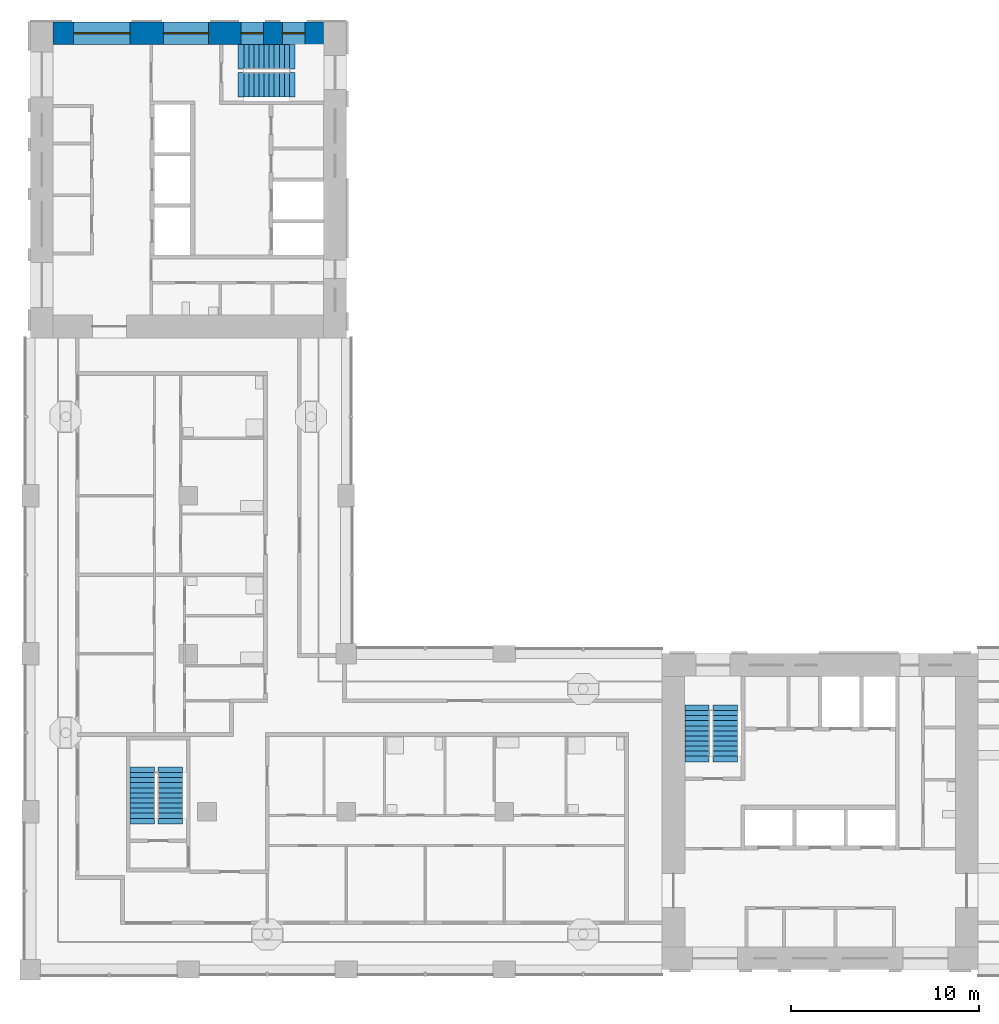
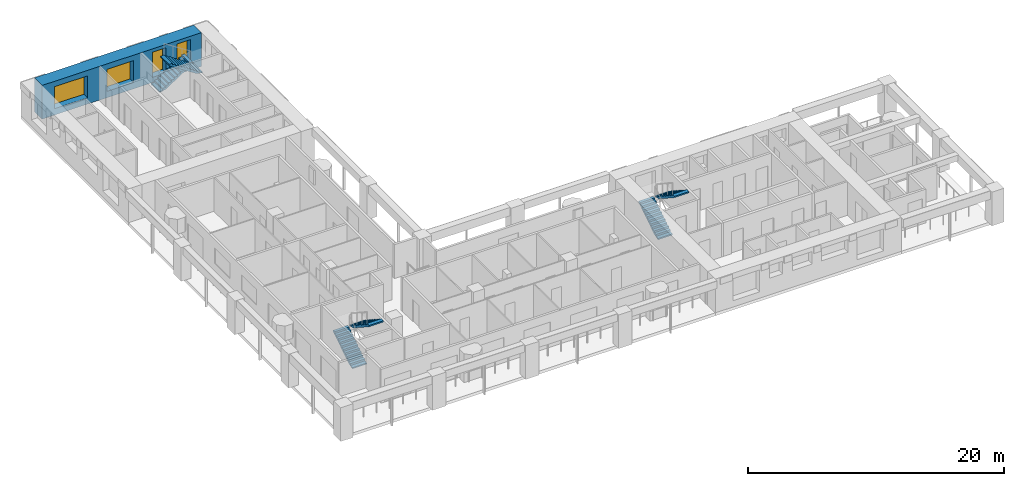
# One storey, part 7 of 13: 6 stair flights, 4 windows, 1 wall, 4 openings, 3 elements without a shape of their own.
"""IFC4 building model written with IfcOpenShell, lengths in metres."""

import ifcopenshell
import ifcopenshell.guid

model = None  # the IFC model being written
_history = None  # IfcOwnerHistory: only IFC2X3 demands one
_inside = {}  # id of a spatial element -> (the spatial element, [elements in it])
_under = {}  # id of a project, library or spatial element -> (it, [spatial elements below it])
_declared = {}  # id of a project -> (the project, [libraries it declares])
_typed = {}  # id of a type object -> (the type object, [elements of that type])
_made_of = {}  # id of a material, layer set ... -> (it, [elements and type objects made of it])


def new_model(schema):
    """Start an empty IFC model of exactly this schema.

    Asked for "IFC4X3", IfcOpenShell would pick the latest addendum, in which some entities
    have other attributes; the version numbers below select the first issue.
    IFC2X3 requires an IfcOwnerHistory on every rooted entity: one is made here for all.
    """
    global model, _history
    if schema == "IFC4X3":
        model = ifcopenshell.file(schema_version=(4, 3, 0, 0))
    else:
        model = ifcopenshell.file(schema=schema)
    _inside.clear()
    _under.clear()
    _declared.clear()
    _typed.clear()
    _made_of.clear()
    _history = None
    if model.schema == "IFC2X3":
        org = make("IfcOrganization", Name="unknown")
        user = make(
            "IfcPersonAndOrganization",
            ThePerson=make("IfcPerson", FamilyName="unknown"),
            TheOrganization=org,
        )
        app = make(
            "IfcApplication",
            ApplicationDeveloper=org,
            Version="unknown",
            ApplicationFullName="unknown",
            ApplicationIdentifier="unknown",
        )
        _history = make(
            "IfcOwnerHistory",
            OwningUser=user,
            OwningApplication=app,
            ChangeAction="ADDED",
            CreationDate=0,
        )
    return model


def make(cls, **values):
    """One entity of the class cls with the attributes given. An attribute that is None is left unset."""
    return model.create_entity(
        cls, **{name: value for name, value in values.items() if value is not None}
    )


def rooted(cls, **values):
    """An entity with a GlobalId (a new one), such as an element, a storey or a relation."""
    return make(cls, GlobalId=ifcopenshell.guid.new(), OwnerHistory=_history, **values)


def si_unit(unit_type, name, prefix=None):
    """IfcSIUnit, for example si_unit("LENGTHUNIT", "METRE", prefix="MILLI")."""
    return make("IfcSIUnit", UnitType=unit_type, Prefix=prefix, Name=name)


def assignment(units):
    """IfcUnitAssignment: the units of a project."""
    return None if units is None else make("IfcUnitAssignment", Units=units)


def point(xyz):
    """IfcCartesianPoint."""
    return None if xyz is None else make("IfcCartesianPoint", Coordinates=xyz)


def direction(xyz):
    """IfcDirection."""
    return None if xyz is None else make("IfcDirection", DirectionRatios=xyz)


def frame(location, z_axis=None, x_axis=None):
    """IfcAxis2Placement3D, a coordinate frame: its origin and axes. An axis left out is left unset."""
    return make(
        "IfcAxis2Placement3D",
        Location=point(location),
        Axis=direction(z_axis),
        RefDirection=direction(x_axis),
    )


def frame_2d(location, x_axis=None):
    """IfcAxis2Placement2D, a coordinate frame in the plane: its origin and x axis."""
    return make(
        "IfcAxis2Placement2D", Location=point(location), RefDirection=direction(x_axis)
    )


def origin():
    """The frame at (0, 0, 0) with its axes left unset."""
    return frame((0.0, 0.0, 0.0))


def place(relative_to, where):
    """IfcLocalPlacement: puts the frame where relative to a parent placement (None: the world)."""
    return make(
        "IfcLocalPlacement", PlacementRelTo=relative_to, RelativePlacement=where
    )


def context(
    kind, dimensions, precision=None, world=None, true_north=None, identifier=None
):
    """IfcGeometricRepresentationContext, for example the 3D "Model" context."""
    return make(
        "IfcGeometricRepresentationContext",
        ContextIdentifier=identifier,
        ContextType=kind,
        CoordinateSpaceDimension=dimensions,
        Precision=precision,
        WorldCoordinateSystem=world,
        TrueNorth=true_north,
    )


def subcontext(parent, identifier, kind, view, scale=None):
    """IfcGeometricRepresentationSubContext, for example "Body" below "Model"."""
    return make(
        "IfcGeometricRepresentationSubContext",
        ContextIdentifier=identifier,
        ContextType=kind,
        ParentContext=parent,
        TargetScale=scale,
        TargetView=view,
    )


def project(units=None, contexts=None):
    """IfcProject with its units and contexts."""
    return rooted(
        "IfcProject",
        Name="project",
        RepresentationContexts=contexts,
        UnitsInContext=assignment(units),
    )


def spatial(cls, under=None, at=None, **own):
    """A site, building, storey or space (cls), placed at a placement, below another one or the project."""
    s = rooted(cls, ObjectPlacement=at, **own)
    if under is not None:
        _under.setdefault(under.id(), (under, []))[1].append(s)
    return s


def polyline(points):
    """IfcPolyline through the points."""
    return make("IfcPolyline", Points=[point(p) for p in points])


def profile(cls, at=None, kind="AREA", **sizes):
    """A parametric profile (cls). Its sizes go by their IFC names, for example OverallWidth=200.0."""
    return make(cls, ProfileType=kind, Position=at, **sizes)


def rectangle(**sizes):
    """IfcRectangleProfileDef."""
    return profile("IfcRectangleProfileDef", **sizes)


def outline(outer, holes=None, kind="AREA"):
    """IfcArbitraryClosedProfileDef: a profile drawn as a closed curve; with holes, ...WithVoids."""
    if holes is None:
        return make("IfcArbitraryClosedProfileDef", ProfileType=kind, OuterCurve=outer)
    return make(
        "IfcArbitraryProfileDefWithVoids",
        ProfileType=kind,
        OuterCurve=outer,
        InnerCurves=holes,
    )


def extrude(swept, where, along, depth):
    """IfcExtrudedAreaSolid: the profile swept, set in the frame where, extruded along a direction by depth."""
    return make(
        "IfcExtrudedAreaSolid",
        SweptArea=swept,
        Position=where,
        ExtrudedDirection=direction(along),
        Depth=depth,
    )


def shape(context_of_items, identifier, shape_type, items):
    """IfcShapeRepresentation: the items that make up one representation, for example the "Body"."""
    return make(
        "IfcShapeRepresentation",
        ContextOfItems=context_of_items,
        RepresentationIdentifier=identifier,
        RepresentationType=shape_type,
        Items=items,
    )


def material(Name=None, Category=None):
    """IfcMaterial."""
    return make("IfcMaterial", Name=Name, Category=Category)


def layer(
    of_material, thickness, ventilated=None, Name=None, Category=None, Priority=None
):
    """IfcMaterialLayer: one layer of a wall or slab, of a material (None: an air gap)."""
    return make(
        "IfcMaterialLayer",
        Material=of_material,
        LayerThickness=thickness,
        IsVentilated=ventilated,
        Name=Name,
        Category=Category,
        Priority=Priority,
    )


def layer_set(layers, Name=None):
    """IfcMaterialLayerSet."""
    return make("IfcMaterialLayerSet", MaterialLayers=layers, LayerSetName=Name)


def made_of(thing, what):
    """Note that an element or type object is made of a material, layer set ...; save() writes the relation."""
    if what is not None:
        _made_of.setdefault(what.id(), (what, []))[1].append(thing)
    return thing


def type_object(cls, material=None, **own):
    """A type object (cls), such as IfcWallType, which elements share."""
    return made_of(rooted(cls, **own), material)


def element(
    cls,
    number,
    at=None,
    inside=None,
    cuts=None,
    type_object=None,
    material=None,
    context=None,
    identifier="Body",
    shape_type=None,
    held_by="IfcProductDefinitionShape",
    body=None,
    shapes=None,
    **own,
):
    """One element of the class cls, such as IfcWall. Its Tag is "e" and its number.

    at: its placement. inside: the storey or other place that contains it. cuts: it is an
    opening in that element (IfcRelVoidsElement). A single representation is given by context,
    identifier, shape_type and body (its items); several are given by shapes. held_by: the class
    of the entity that holds the representations. save() writes the other relations.
    """
    e = rooted(cls, Tag="e%d" % number, ObjectPlacement=at, **own)
    if body is not None:
        shapes = [shape(context, identifier, shape_type, body)]
    if shapes is not None:
        e.Representation = make(held_by, Representations=shapes)
    if inside is not None:
        _inside.setdefault(inside.id(), (inside, []))[1].append(e)
    if cuts is not None:
        rooted(
            "IfcRelVoidsElement", RelatingBuildingElement=cuts, RelatedOpeningElement=e
        )
    if type_object is not None:
        _typed.setdefault(type_object.id(), (type_object, []))[1].append(e)
    return made_of(e, material)


def fill(opening, filler):
    """IfcRelFillsElement: the door or window that sits in an opening."""
    return rooted(
        "IfcRelFillsElement",
        RelatingOpeningElement=opening,
        RelatedBuildingElement=filler,
    )


def aggregate(whole, parts):
    """IfcRelAggregates: a whole, such as a stair, and the parts it consists of."""
    return rooted("IfcRelAggregates", RelatingObject=whole, RelatedObjects=parts)


def save(model, path):
    """Write the relations noted so far, then the file.

    IfcRelAggregates (storeys below a building ...), IfcRelContainedInSpatialStructure (elements
    in a storey), IfcRelDefinesByType, IfcRelAssociatesMaterial and IfcRelDeclares: one each for
    every whole, place, type object, material and project.
    """
    for whole, parts in _under.values():
        aggregate(whole, parts)
    for where, things in _inside.values():
        rooted(
            "IfcRelContainedInSpatialStructure",
            RelatedElements=things,
            RelatingStructure=where,
        )
    for kind, things in _typed.values():
        rooted("IfcRelDefinesByType", RelatedObjects=things, RelatingType=kind)
    for what, things in _made_of.values():
        rooted("IfcRelAssociatesMaterial", RelatedObjects=things, RelatingMaterial=what)
    for by, libraries in _declared.values():
        rooted("IfcRelDeclares", RelatingContext=by, RelatedDefinitions=libraries)
    model.write(path)


model = new_model("IFC4")

# Units and contexts
model_context = context("Model", 3, precision=1e-05, world=origin(), true_north=direction((0.0, 1.0)))
body_context = subcontext(model_context, "Body", "Model", "MODEL_VIEW")
ifc_project = project(units=[si_unit("LENGTHUNIT", "METRE"), si_unit("AREAUNIT", "SQUARE_METRE"), si_unit("VOLUMEUNIT", "CUBIC_METRE"), si_unit("PLANEANGLEUNIT", "RADIAN"), si_unit("MASSUNIT", "GRAM", prefix="KILO")], contexts=[model_context])

# Site, building, storey
site_placement = place(None, origin())
site = spatial("IfcSite", under=ifc_project, at=site_placement, CompositionType="ELEMENT")
building_placement = place(site_placement, origin())
building = spatial("IfcBuilding", under=site, at=building_placement, Name="Vermilion Gate Residences", CompositionType="ELEMENT")
storey_placement = place(building_placement, frame((0.0, 0.0, 151.199951171875)))
storey = spatial("IfcBuildingStorey", under=building, at=storey_placement, Name="L38", CompositionType="ELEMENT", Elevation=151.199951171875)

# Wall, openings, windows
ifc_material_1 = material(Name="Concrete C60 red-oxide pigmented", Category="concrete")
ifc_layer = layer(ifc_material_1, 1.199951171875)
ifc_layer_set = layer_set([ifc_layer], Name="RC CORE WALL 1200 C60 RED OXIDE")
wall_type = type_object("IfcWallType", Name="RC CORE WALL 1200 C60 RED OXIDE", PredefinedType="SHEAR", material=ifc_layer_set)
wall_placement = place(storey_placement, frame((9.60009765625, 58.199951171875, 0.0), z_axis=(0.0, 0.0, 1.0), x_axis=(1.0, 0.0, 0.0)))
wall = element("IfcWall", 1, at=wall_placement, inside=storey, type_object=wall_type, Name="Core wall B38-OUT-FR", PredefinedType="SHEAR", context=body_context, shape_type="SweptSolid", body=[
    extrude(rectangle(XDim=14.39990234375, YDim=1.199951171875, at=frame_2d((7.199951171875, 0.0))), origin(), (0.0, 0.0, 1.0), 3.219970703125),
])
opening_1_placement = place(wall_placement, frame((1.10498046875, 0.0, 0.60009765625)))
opening_1 = element("IfcOpeningElement", 2, at=opening_1_placement, cuts=wall, Name="Opening WKB3811", PredefinedType="OPENING", context=body_context, shape_type="SweptSolid", body=[
    extrude(rectangle(XDim=3.0, YDim=2.10009765625, at=frame_2d((1.5, 1.050048828125))), frame((0.0, 0.60986328125, 0.0), z_axis=(0.0, -1.0, 0.0), x_axis=(1.0, 0.0, 0.0)), (0.0, 0.0, 1.0), 1.219970703125),
])
opening_2_placement = place(wall_placement, frame((5.875, 0.0, 0.60009765625)))
opening_2 = element("IfcOpeningElement", 3, at=opening_2_placement, cuts=wall, Name="Opening WKB3812", PredefinedType="OPENING", context=body_context, shape_type="SweptSolid", body=[
    extrude(rectangle(XDim=2.39990234375, YDim=2.10009765625, at=frame_2d((1.199951171875, 1.050048828125))), frame((0.0, 0.60986328125, 0.0), z_axis=(0.0, -1.0, 0.0), x_axis=(1.0, 0.0, 0.0)), (0.0, 0.0, 1.0), 1.219970703125),
])
opening_3_placement = place(wall_placement, frame((9.993408203125, 0.0, 0.5)))
opening_3 = element("IfcOpeningElement", 4, at=opening_3_placement, cuts=wall, Name="Opening WKB3813", PredefinedType="OPENING", context=body_context, shape_type="SweptSolid", body=[
    extrude(rectangle(XDim=1.199951171875, YDim=2.39990234375, at=frame_2d((0.60009765625, 1.199951171875))), frame((0.0, 0.60986328125, 0.0), z_axis=(0.0, -1.0, 0.0), x_axis=(1.0, 0.0, 0.0)), (0.0, 0.0, 1.0), 1.219970703125),
])
opening_4_placement = place(wall_placement, frame((12.19677734375, 0.0, 0.5)))
opening_4 = element("IfcOpeningElement", 5, at=opening_4_placement, cuts=wall, Name="Opening WKB3814", PredefinedType="OPENING", context=body_context, shape_type="SweptSolid", body=[
    extrude(rectangle(XDim=1.199951171875, YDim=2.39990234375, at=frame_2d((0.60009765625, 1.199951171875))), frame((0.0, 0.60986328125, 0.0), z_axis=(0.0, -1.0, 0.0), x_axis=(1.0, 0.0, 0.0)), (0.0, 0.0, 1.0), 1.219970703125),
])
ifc_material_2 = material(Name="Aluminium and clear glass", Category="aluminium")
window_type_1 = type_object("IfcWindowType", Name="CORE LOBBY WINDOW 2400 X 2100", PartitioningType="SINGLE_PANEL", PredefinedType="WINDOW", material=ifc_material_2)
window_1_placement = place(opening_2_placement, origin())
window_1 = element("IfcWindow", 6, at=window_1_placement, inside=storey, type_object=window_type_1, Name="Core lobby window", OverallHeight=2.10009765625, OverallWidth=2.39990234375, PartitioningType="SINGLE_PANEL", PredefinedType="WINDOW", context=body_context, shape_type="SweptSolid", body=[
    extrude(rectangle(XDim=2.39990234375, YDim=2.10009765625, at=frame_2d((1.199951171875, 1.050048828125))), frame((0.0, 0.030029296875, 0.0), z_axis=(0.0, -1.0, 0.0), x_axis=(1.0, 0.0, 0.0)), (0.0, 0.0, 1.0), 0.06005859375),
])
fill(opening_2, window_1)
ifc_material_3 = material(Name="Aluminium and clear glass", Category="aluminium")
window_type_2 = type_object("IfcWindowType", Name="CORE LOBBY WINDOW 3000 X 2100", PartitioningType="SINGLE_PANEL", PredefinedType="WINDOW", material=ifc_material_3)
window_2_placement = place(opening_1_placement, origin())
window_2 = element("IfcWindow", 7, at=window_2_placement, inside=storey, type_object=window_type_2, Name="Core lobby window", OverallHeight=2.10009765625, OverallWidth=3.0, PartitioningType="SINGLE_PANEL", PredefinedType="WINDOW", context=body_context, shape_type="SweptSolid", body=[
    extrude(rectangle(XDim=3.0, YDim=2.10009765625, at=frame_2d((1.5, 1.050048828125))), frame((0.0, 0.030029296875, 0.0), z_axis=(0.0, -1.0, 0.0), x_axis=(1.0, 0.0, 0.0)), (0.0, 0.0, 1.0), 0.06005859375),
])
fill(opening_1, window_2)
ifc_material_4 = material(Name="Aluminium and clear glass", Category="aluminium")
window_type_3 = type_object("IfcWindowType", Name="CORE STAIR WINDOW 1200 X 2400", PartitioningType="SINGLE_PANEL", PredefinedType="WINDOW", material=ifc_material_4)
window_3_placement = place(opening_3_placement, origin())
window_3 = element("IfcWindow", 8, at=window_3_placement, inside=storey, type_object=window_type_3, Name="Core stair window", OverallHeight=2.39990234375, OverallWidth=1.199951171875, PartitioningType="SINGLE_PANEL", PredefinedType="WINDOW", context=body_context, shape_type="SweptSolid", body=[
    extrude(rectangle(XDim=1.199951171875, YDim=2.39990234375, at=frame_2d((0.60009765625, 1.199951171875))), frame((0.0, 0.030029296875, 0.0), z_axis=(0.0, -1.0, 0.0), x_axis=(1.0, 0.0, 0.0)), (0.0, 0.0, 1.0), 0.06005859375),
])
fill(opening_3, window_3)
window_4_placement = place(opening_4_placement, origin())
window_4 = element("IfcWindow", 9, at=window_4_placement, inside=storey, type_object=window_type_3, Name="Core stair window", OverallHeight=2.39990234375, OverallWidth=1.199951171875, PartitioningType="SINGLE_PANEL", PredefinedType="WINDOW", context=body_context, shape_type="SweptSolid", body=[
    extrude(rectangle(XDim=1.199951171875, YDim=2.39990234375, at=frame_2d((0.60009765625, 1.199951171875))), frame((0.0, 0.030029296875, 0.0), z_axis=(0.0, -1.0, 0.0), x_axis=(1.0, 0.0, 0.0)), (0.0, 0.0, 1.0), 0.06005859375),
])
fill(opening_4, window_4)

# Stair, stair flights
ifc_material_5 = material(Name="Concrete C50", Category="concrete")
stair_type = type_object("IfcStairType", Name="SPECIAL ESCAPE STAIR 1300", PredefinedType="HALF_TURN_STAIR", material=ifc_material_5)
stair_1_placement = place(storey_placement, origin())
stair_1 = element("IfcStair", 10, at=stair_1_placement, inside=storey, type_object=stair_type, Name="Special escape stair STA1-38", PredefinedType="HALF_TURN_STAIR")
ifc_material_6 = material(Name="Concrete C50", Category="concrete")
stair_flight_type = type_object("IfcStairFlightType", Name="STAIR FLIGHT 1300 RC C50", PredefinedType="STRAIGHT", material=ifc_material_6)
stair_flight_1_placement = place(storey_placement, frame((43.85009765625, 19.75, 0.0), z_axis=(0.0, 0.0, 1.0), x_axis=(0.0, 1.0, 0.0)))
stair_flight_1 = element("IfcStairFlight", 11, at=stair_flight_1_placement, type_object=stair_flight_type, Name="STA1-38 flight 1", NumberOfRisers=10, NumberOfTreads=9, PredefinedType="STRAIGHT", RiserHeight=0.175, TreadLength=0.27, context=body_context, shape_type="SweptSolid", body=[
    extrude(outline(polyline([(-0.300048828125, -0.14990234375), (-0.300048828125, -0.030029296875), (0.0, 0.0), (0.0, 0.175048828125), (0.27001953125, 0.175048828125), (0.27001953125, 0.35009765625), (0.5400390625, 0.35009765625), (0.5400390625, 0.52490234375), (0.81005859375, 0.52490234375), (0.81005859375, 0.699951171875), (1.080078125, 0.699951171875), (1.080078125, 0.875), (1.35009765625, 0.875), (1.35009765625, 1.050048828125), (1.6201171875, 1.050048828125), (1.6201171875, 1.22509765625), (1.889892578125, 1.22509765625), (1.889892578125, 1.39990234375), (2.159912109375, 1.39990234375), (2.159912109375, 1.574951171875), (2.429931640625, 1.574951171875), (2.429931640625, 1.75), (2.72998046875, 1.719970703125), (2.72998046875, 1.60009765625), (2.429931640625, 1.396484375), (0.275634765625, 0.0), (-0.300048828125, -0.14990234375)])), frame((0.0, 0.64990234375, 0.0), z_axis=(0.0, -1.0, 0.0), x_axis=(1.0, 0.0, 0.0)), (0.0, 0.0, 1.0), 1.300048828125),
])
stair_flight_2_placement = place(storey_placement, frame((45.35009765625, 22.179931640625, 1.75), z_axis=(0.0, 0.0, 1.0), x_axis=(0.0, -1.0, 0.0)))
stair_flight_2 = element("IfcStairFlight", 12, at=stair_flight_2_placement, type_object=stair_flight_type, Name="STA1-38 flight 2", NumberOfRisers=10, NumberOfTreads=9, PredefinedType="STRAIGHT", RiserHeight=0.175, TreadLength=0.27, context=body_context, shape_type="SweptSolid", body=[
    extrude(outline(polyline([(-0.300048828125, -0.14990234375), (-0.300048828125, -0.030029296875), (0.0, 0.0), (0.0, 0.175048828125), (0.27001953125, 0.175048828125), (0.27001953125, 0.35009765625), (0.5400390625, 0.35009765625), (0.5400390625, 0.52490234375), (0.81005859375, 0.52490234375), (0.81005859375, 0.699951171875), (1.080078125, 0.699951171875), (1.080078125, 0.875), (1.35009765625, 0.875), (1.35009765625, 1.050048828125), (1.6201171875, 1.050048828125), (1.6201171875, 1.22509765625), (1.889892578125, 1.22509765625), (1.889892578125, 1.39990234375), (2.159912109375, 1.39990234375), (2.159912109375, 1.574951171875), (2.429931640625, 1.574951171875), (2.429931640625, 1.75), (2.72998046875, 1.719970703125), (2.72998046875, 1.60009765625), (2.429931640625, 1.396484375), (0.275634765625, 0.0), (-0.300048828125, -0.14990234375)])), frame((0.0, 0.64990234375, 0.0), z_axis=(0.0, -1.0, 0.0), x_axis=(1.0, 0.0, 0.0)), (0.0, 0.0, 1.0), 1.300048828125),
])
aggregate(stair_1, [stair_flight_1, stair_flight_2])

stair_2_placement = place(storey_placement, origin())
stair_2 = element("IfcStair", 13, at=stair_2_placement, inside=storey, type_object=stair_type, Name="Special escape stair STB1-38", PredefinedType="HALF_TURN_STAIR")
stair_flight_3_placement = place(storey_placement, frame((19.75, 56.949951171875, 0.0), z_axis=(0.0, 0.0, 1.0), x_axis=(1.0, 0.0, 0.0)))
stair_flight_3 = element("IfcStairFlight", 14, at=stair_flight_3_placement, type_object=stair_flight_type, Name="STB1-38 flight 1", NumberOfRisers=10, NumberOfTreads=9, PredefinedType="STRAIGHT", RiserHeight=0.175, TreadLength=0.27, context=body_context, shape_type="SweptSolid", body=[
    extrude(outline(polyline([(-0.300048828125, -0.14990234375), (-0.300048828125, -0.030029296875), (0.0, 0.0), (0.0, 0.175048828125), (0.27001953125, 0.175048828125), (0.27001953125, 0.35009765625), (0.5400390625, 0.35009765625), (0.5400390625, 0.52490234375), (0.81005859375, 0.52490234375), (0.81005859375, 0.699951171875), (1.080078125, 0.699951171875), (1.080078125, 0.875), (1.35009765625, 0.875), (1.35009765625, 1.050048828125), (1.6201171875, 1.050048828125), (1.6201171875, 1.22509765625), (1.889892578125, 1.22509765625), (1.889892578125, 1.39990234375), (2.159912109375, 1.39990234375), (2.159912109375, 1.574951171875), (2.429931640625, 1.574951171875), (2.429931640625, 1.75), (2.72998046875, 1.719970703125), (2.72998046875, 1.60009765625), (2.429931640625, 1.396484375), (0.275634765625, 0.0), (-0.300048828125, -0.14990234375)])), frame((0.0, 0.64990234375, 0.0), z_axis=(0.0, -1.0, 0.0), x_axis=(1.0, 0.0, 0.0)), (0.0, 0.0, 1.0), 1.300048828125),
])
stair_flight_4_placement = place(storey_placement, frame((22.179931640625, 55.449951171875, 1.75), z_axis=(0.0, 0.0, 1.0), x_axis=(-1.0, 0.0, 0.0)))
stair_flight_4 = element("IfcStairFlight", 15, at=stair_flight_4_placement, type_object=stair_flight_type, Name="STB1-38 flight 2", NumberOfRisers=10, NumberOfTreads=9, PredefinedType="STRAIGHT", RiserHeight=0.175, TreadLength=0.27, context=body_context, shape_type="SweptSolid", body=[
    extrude(outline(polyline([(-0.300048828125, -0.14990234375), (-0.300048828125, -0.030029296875), (0.0, 0.0), (0.0, 0.175048828125), (0.27001953125, 0.175048828125), (0.27001953125, 0.35009765625), (0.5400390625, 0.35009765625), (0.5400390625, 0.52490234375), (0.81005859375, 0.52490234375), (0.81005859375, 0.699951171875), (1.080078125, 0.699951171875), (1.080078125, 0.875), (1.35009765625, 0.875), (1.35009765625, 1.050048828125), (1.6201171875, 1.050048828125), (1.6201171875, 1.22509765625), (1.889892578125, 1.22509765625), (1.889892578125, 1.39990234375), (2.159912109375, 1.39990234375), (2.159912109375, 1.574951171875), (2.429931640625, 1.574951171875), (2.429931640625, 1.75), (2.72998046875, 1.719970703125), (2.72998046875, 1.60009765625), (2.429931640625, 1.396484375), (0.275634765625, 0.0), (-0.300048828125, -0.14990234375)])), frame((0.0, 0.64990234375, 0.0), z_axis=(0.0, -1.0, 0.0), x_axis=(1.0, 0.0, 0.0)), (0.0, 0.0, 1.0), 1.300048828125),
])
aggregate(stair_2, [stair_flight_3, stair_flight_4])

stair_3_placement = place(storey_placement, origin())
stair_3 = element("IfcStair", 16, at=stair_3_placement, inside=storey, type_object=stair_type, Name="Special escape stair STC1-38", PredefinedType="HALF_TURN_STAIR")
stair_flight_5_placement = place(storey_placement, frame((14.35009765625, 16.449951171875, 0.0), z_axis=(0.0, 0.0, 1.0), x_axis=(0.0, 1.0, 0.0)))
stair_flight_5 = element("IfcStairFlight", 17, at=stair_flight_5_placement, type_object=stair_flight_type, Name="STC1-38 flight 1", NumberOfRisers=10, NumberOfTreads=9, PredefinedType="STRAIGHT", RiserHeight=0.175, TreadLength=0.27, context=body_context, shape_type="SweptSolid", body=[
    extrude(outline(polyline([(-0.300048828125, -0.14990234375), (-0.300048828125, -0.030029296875), (0.0, 0.0), (0.0, 0.175048828125), (0.27001953125, 0.175048828125), (0.27001953125, 0.35009765625), (0.5400390625, 0.35009765625), (0.5400390625, 0.52490234375), (0.81005859375, 0.52490234375), (0.81005859375, 0.699951171875), (1.080078125, 0.699951171875), (1.080078125, 0.875), (1.35009765625, 0.875), (1.35009765625, 1.050048828125), (1.6201171875, 1.050048828125), (1.6201171875, 1.22509765625), (1.889892578125, 1.22509765625), (1.889892578125, 1.39990234375), (2.159912109375, 1.39990234375), (2.159912109375, 1.574951171875), (2.429931640625, 1.574951171875), (2.429931640625, 1.75), (2.72998046875, 1.719970703125), (2.72998046875, 1.60009765625), (2.429931640625, 1.396484375), (0.275634765625, 0.0), (-0.300048828125, -0.14990234375)])), frame((0.0, 0.64990234375, 0.0), z_axis=(0.0, -1.0, 0.0), x_axis=(1.0, 0.0, 0.0)), (0.0, 0.0, 1.0), 1.300048828125),
])
stair_flight_6_placement = place(storey_placement, frame((15.85009765625, 18.8798828125, 1.75), z_axis=(0.0, 0.0, 1.0), x_axis=(0.0, -1.0, 0.0)))
stair_flight_6 = element("IfcStairFlight", 18, at=stair_flight_6_placement, type_object=stair_flight_type, Name="STC1-38 flight 2", NumberOfRisers=10, NumberOfTreads=9, PredefinedType="STRAIGHT", RiserHeight=0.175, TreadLength=0.27, context=body_context, shape_type="SweptSolid", body=[
    extrude(outline(polyline([(-0.300048828125, -0.14990234375), (-0.300048828125, -0.030029296875), (0.0, 0.0), (0.0, 0.175048828125), (0.27001953125, 0.175048828125), (0.27001953125, 0.35009765625), (0.5400390625, 0.35009765625), (0.5400390625, 0.52490234375), (0.81005859375, 0.52490234375), (0.81005859375, 0.699951171875), (1.080078125, 0.699951171875), (1.080078125, 0.875), (1.35009765625, 0.875), (1.35009765625, 1.050048828125), (1.6201171875, 1.050048828125), (1.6201171875, 1.22509765625), (1.889892578125, 1.22509765625), (1.889892578125, 1.39990234375), (2.159912109375, 1.39990234375), (2.159912109375, 1.574951171875), (2.429931640625, 1.574951171875), (2.429931640625, 1.75), (2.72998046875, 1.719970703125), (2.72998046875, 1.60009765625), (2.429931640625, 1.396484375), (0.275634765625, 0.0), (-0.300048828125, -0.14990234375)])), frame((0.0, 0.64990234375, 0.0), z_axis=(0.0, -1.0, 0.0), x_axis=(1.0, 0.0, 0.0)), (0.0, 0.0, 1.0), 1.300048828125),
])
aggregate(stair_3, [stair_flight_5, stair_flight_6])

save(model, "model.ifc")
